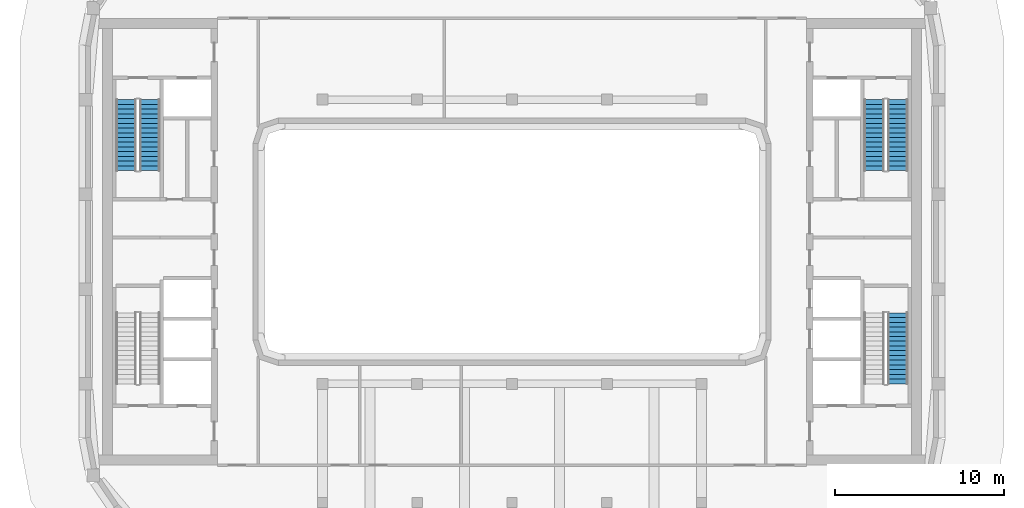
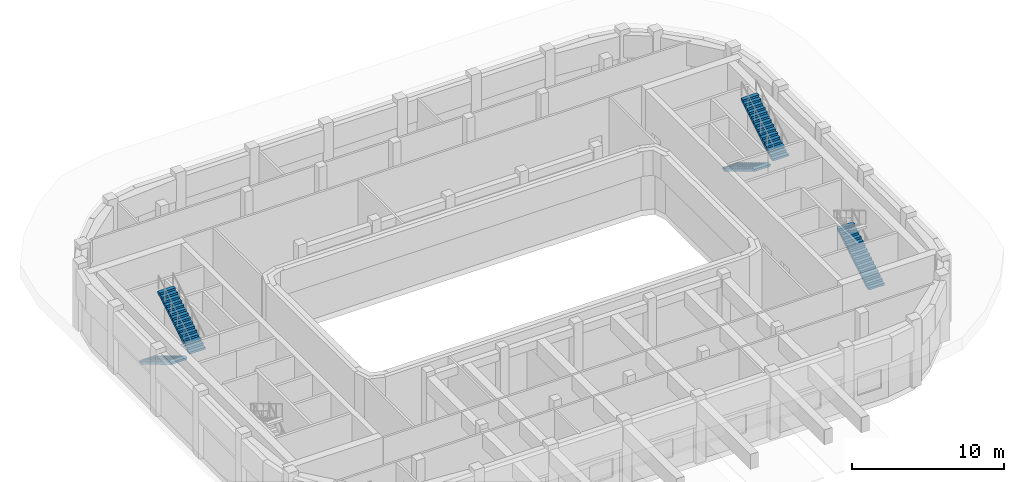
# One storey, part 10 of 17: 5 stair flights, 3 elements without a shape of their own.
"""IFC4 building model written with IfcOpenShell, lengths in metres."""

from ifc_helpers import new_model, si_unit, direction, frame, origin, place, context, subcontext, project, spatial, polyline, outline, extrude, material, type_object, element, aggregate, save


model = new_model("IFC4")

# Units and contexts
model_context = context("Model", 3, precision=1e-05, world=origin(), true_north=direction((0.0, 1.0)))
body_context = subcontext(model_context, "Body", "Model", "MODEL_VIEW")
ifc_project = project(units=[si_unit("LENGTHUNIT", "METRE"), si_unit("AREAUNIT", "SQUARE_METRE"), si_unit("VOLUMEUNIT", "CUBIC_METRE"), si_unit("PLANEANGLEUNIT", "RADIAN"), si_unit("MASSUNIT", "GRAM", prefix="KILO")], contexts=[model_context])

# Site, building, storey
site_placement = place(None, origin())
site = spatial("IfcSite", under=ifc_project, at=site_placement, CompositionType="ELEMENT")
building_placement = place(site_placement, origin())
building = spatial("IfcBuilding", under=site, at=building_placement, Name="Kiln Ring Residences", CompositionType="ELEMENT")
storey_placement = place(building_placement, frame((0.0, 0.0, 289.10009765625)))
storey = spatial("IfcBuildingStorey", under=building, at=storey_placement, Name="L75", CompositionType="ELEMENT", Elevation=289.10009765625)

# Stair, stair flights
ifc_material_1 = material(Name="Concrete C40/50", Category="concrete")
stair_type = type_object("IfcStairType", Name="CORE-STAIR", PredefinedType="HALF_TURN_STAIR", material=ifc_material_1)
placement = place(storey_placement, origin())
stair_1 = element("IfcStair", 1, at=placement, inside=storey, type_object=stair_type, Name="L75 stair W-STN", PredefinedType="HALF_TURN_STAIR")
ifc_material_2 = material(Name="Concrete C40/50", Category="concrete")
stair_flight_type = type_object("IfcStairFlightType", Name="CORE-STAIR-FLIGHT", PredefinedType="STRAIGHT", material=ifc_material_2)
stair_flight_1_placement = place(storey_placement, frame((-22.800048828125, 8.39990234375, 0.0), z_axis=(0.0, 0.0, 1.0), x_axis=(0.0, -1.0, 0.0)))
stair_flight_1 = element("IfcStairFlight", 2, at=stair_flight_1_placement, type_object=stair_flight_type, Name="W-STN flight 1", NumberOfRisers=16, NumberOfTreads=15, PredefinedType="STRAIGHT", RiserHeight=0.16875, TreadLength=0.28, context=body_context, shape_type="SweptSolid", body=[
    extrude(outline(polyline([(0.0, 0.0), (0.0, 0.168701171875), (0.280029296875, 0.168701171875), (0.280029296875, 0.33740234375), (0.56005859375, 0.33740234375), (0.56005859375, 0.50634765625), (0.840087890625, 0.50634765625), (0.840087890625, 0.675048828125), (1.1201171875, 0.675048828125), (1.1201171875, 0.84375), (1.39990234375, 0.84375), (1.39990234375, 1.012451171875), (1.679931640625, 1.012451171875), (1.679931640625, 1.18115234375), (1.9599609375, 1.18115234375), (1.9599609375, 1.35009765625), (2.239990234375, 1.35009765625), (2.239990234375, 1.518798828125), (2.52001953125, 1.518798828125), (2.52001953125, 1.6875), (2.800048828125, 1.6875), (2.800048828125, 1.856201171875), (3.080078125, 1.856201171875), (3.080078125, 2.02490234375), (3.360107421875, 2.02490234375), (3.360107421875, 2.19384765625), (3.639892578125, 2.19384765625), (3.639892578125, 2.362548828125), (3.919921875, 2.362548828125), (3.919921875, 2.53125), (4.199951171875, 2.53125), (4.199951171875, 2.699951171875), (4.199951171875, 2.356201171875), (0.29052734375, 0.0), (0.0, 0.0)])), frame((0.0, 0.60009765625, 0.0), z_axis=(0.0, -1.0, 0.0), x_axis=(1.0, 0.0, 0.0)), (0.0, 0.0, 1.0), 1.199951171875),
])
stair_flight_2_placement = place(storey_placement, frame((-21.39990234375, 4.199951171875, 2.699951171875), z_axis=(0.0, 0.0, 1.0), x_axis=(0.0, 1.0, 0.0)))
stair_flight_2 = element("IfcStairFlight", 3, at=stair_flight_2_placement, type_object=stair_flight_type, Name="W-STN flight 2", NumberOfRisers=16, NumberOfTreads=15, PredefinedType="STRAIGHT", RiserHeight=0.16875, TreadLength=0.28, context=body_context, shape_type="SweptSolid", body=[
    extrude(outline(polyline([(0.0, 0.0), (0.0, 0.168701171875), (0.280029296875, 0.168701171875), (0.280029296875, 0.33740234375), (0.56005859375, 0.33740234375), (0.56005859375, 0.50634765625), (0.840087890625, 0.50634765625), (0.840087890625, 0.675048828125), (1.1201171875, 0.675048828125), (1.1201171875, 0.84375), (1.39990234375, 0.84375), (1.39990234375, 1.012451171875), (1.679931640625, 1.012451171875), (1.679931640625, 1.18115234375), (1.9599609375, 1.18115234375), (1.9599609375, 1.35009765625), (2.239990234375, 1.35009765625), (2.239990234375, 1.518798828125), (2.52001953125, 1.518798828125), (2.52001953125, 1.6875), (2.800048828125, 1.6875), (2.800048828125, 1.856201171875), (3.080078125, 1.856201171875), (3.080078125, 2.02490234375), (3.360107421875, 2.02490234375), (3.360107421875, 2.19384765625), (3.639892578125, 2.19384765625), (3.639892578125, 2.362548828125), (3.919921875, 2.362548828125), (3.919921875, 2.53125), (4.199951171875, 2.53125), (4.199951171875, 2.699951171875), (4.199951171875, 2.356201171875), (0.29052734375, 0.0), (0.0, 0.0)])), frame((0.0, 0.60009765625, 0.0), z_axis=(0.0, -1.0, 0.0), x_axis=(1.0, 0.0, 0.0)), (0.0, 0.0, 1.0), 1.199951171875),
])
aggregate(stair_1, [stair_flight_1, stair_flight_2])

stair_2 = element("IfcStair", 4, at=placement, inside=storey, type_object=stair_type, Name="L75 stair E-STN", PredefinedType="HALF_TURN_STAIR")
stair_flight_3_placement = place(storey_placement, frame((21.39990234375, 8.39990234375, 0.0), z_axis=(0.0, 0.0, 1.0), x_axis=(0.0, -1.0, 0.0)))
stair_flight_3 = element("IfcStairFlight", 5, at=stair_flight_3_placement, type_object=stair_flight_type, Name="E-STN flight 1", NumberOfRisers=16, NumberOfTreads=15, PredefinedType="STRAIGHT", RiserHeight=0.16875, TreadLength=0.28, context=body_context, shape_type="SweptSolid", body=[
    extrude(outline(polyline([(0.0, 0.0), (0.0, 0.168701171875), (0.280029296875, 0.168701171875), (0.280029296875, 0.33740234375), (0.56005859375, 0.33740234375), (0.56005859375, 0.50634765625), (0.840087890625, 0.50634765625), (0.840087890625, 0.675048828125), (1.1201171875, 0.675048828125), (1.1201171875, 0.84375), (1.39990234375, 0.84375), (1.39990234375, 1.012451171875), (1.679931640625, 1.012451171875), (1.679931640625, 1.18115234375), (1.9599609375, 1.18115234375), (1.9599609375, 1.35009765625), (2.239990234375, 1.35009765625), (2.239990234375, 1.518798828125), (2.52001953125, 1.518798828125), (2.52001953125, 1.6875), (2.800048828125, 1.6875), (2.800048828125, 1.856201171875), (3.080078125, 1.856201171875), (3.080078125, 2.02490234375), (3.360107421875, 2.02490234375), (3.360107421875, 2.19384765625), (3.639892578125, 2.19384765625), (3.639892578125, 2.362548828125), (3.919921875, 2.362548828125), (3.919921875, 2.53125), (4.199951171875, 2.53125), (4.199951171875, 2.699951171875), (4.199951171875, 2.356201171875), (0.29052734375, 0.0), (0.0, 0.0)])), frame((0.0, 0.60009765625, 0.0), z_axis=(0.0, -1.0, 0.0), x_axis=(1.0, 0.0, 0.0)), (0.0, 0.0, 1.0), 1.199951171875),
])
stair_flight_4_placement = place(storey_placement, frame((22.800048828125, 4.199951171875, 2.699951171875), z_axis=(0.0, 0.0, 1.0), x_axis=(0.0, 1.0, 0.0)))
stair_flight_4 = element("IfcStairFlight", 6, at=stair_flight_4_placement, type_object=stair_flight_type, Name="E-STN flight 2", NumberOfRisers=16, NumberOfTreads=15, PredefinedType="STRAIGHT", RiserHeight=0.16875, TreadLength=0.28, context=body_context, shape_type="SweptSolid", body=[
    extrude(outline(polyline([(0.0, 0.0), (0.0, 0.168701171875), (0.280029296875, 0.168701171875), (0.280029296875, 0.33740234375), (0.56005859375, 0.33740234375), (0.56005859375, 0.50634765625), (0.840087890625, 0.50634765625), (0.840087890625, 0.675048828125), (1.1201171875, 0.675048828125), (1.1201171875, 0.84375), (1.39990234375, 0.84375), (1.39990234375, 1.012451171875), (1.679931640625, 1.012451171875), (1.679931640625, 1.18115234375), (1.9599609375, 1.18115234375), (1.9599609375, 1.35009765625), (2.239990234375, 1.35009765625), (2.239990234375, 1.518798828125), (2.52001953125, 1.518798828125), (2.52001953125, 1.6875), (2.800048828125, 1.6875), (2.800048828125, 1.856201171875), (3.080078125, 1.856201171875), (3.080078125, 2.02490234375), (3.360107421875, 2.02490234375), (3.360107421875, 2.19384765625), (3.639892578125, 2.19384765625), (3.639892578125, 2.362548828125), (3.919921875, 2.362548828125), (3.919921875, 2.53125), (4.199951171875, 2.53125), (4.199951171875, 2.699951171875), (4.199951171875, 2.356201171875), (0.29052734375, 0.0), (0.0, 0.0)])), frame((0.0, 0.60009765625, 0.0), z_axis=(0.0, -1.0, 0.0), x_axis=(1.0, 0.0, 0.0)), (0.0, 0.0, 1.0), 1.199951171875),
])
aggregate(stair_2, [stair_flight_3, stair_flight_4])

# Stair, stair flight
stair_3 = element("IfcStair", 7, at=placement, inside=storey, type_object=stair_type, Name="L75 stair E-STS", PredefinedType="HALF_TURN_STAIR")
stair_flight_5_placement = place(storey_placement, frame((22.800048828125, -8.39990234375, 0.0), z_axis=(0.0, 0.0, 1.0), x_axis=(0.0, 1.0, 0.0)))
stair_flight_5 = element("IfcStairFlight", 8, at=stair_flight_5_placement, type_object=stair_flight_type, Name="E-STS flight 1", NumberOfRisers=16, NumberOfTreads=15, PredefinedType="STRAIGHT", RiserHeight=0.16875, TreadLength=0.28, context=body_context, shape_type="SweptSolid", body=[
    extrude(outline(polyline([(0.0, 0.0), (0.0, 0.168701171875), (0.280029296875, 0.168701171875), (0.280029296875, 0.33740234375), (0.56005859375, 0.33740234375), (0.56005859375, 0.50634765625), (0.840087890625, 0.50634765625), (0.840087890625, 0.675048828125), (1.1201171875, 0.675048828125), (1.1201171875, 0.84375), (1.39990234375, 0.84375), (1.39990234375, 1.012451171875), (1.679931640625, 1.012451171875), (1.679931640625, 1.18115234375), (1.9599609375, 1.18115234375), (1.9599609375, 1.35009765625), (2.239990234375, 1.35009765625), (2.239990234375, 1.518798828125), (2.52001953125, 1.518798828125), (2.52001953125, 1.6875), (2.800048828125, 1.6875), (2.800048828125, 1.856201171875), (3.080078125, 1.856201171875), (3.080078125, 2.02490234375), (3.360107421875, 2.02490234375), (3.360107421875, 2.19384765625), (3.639892578125, 2.19384765625), (3.639892578125, 2.362548828125), (3.919921875, 2.362548828125), (3.919921875, 2.53125), (4.199951171875, 2.53125), (4.199951171875, 2.699951171875), (4.199951171875, 2.356201171875), (0.29052734375, 0.0), (0.0, 0.0)])), frame((0.0, 0.60009765625, 0.0), z_axis=(0.0, -1.0, 0.0), x_axis=(1.0, 0.0, 0.0)), (0.0, 0.0, 1.0), 1.199951171875),
])
aggregate(stair_3, [stair_flight_5])

save(model, "model.ifc")
